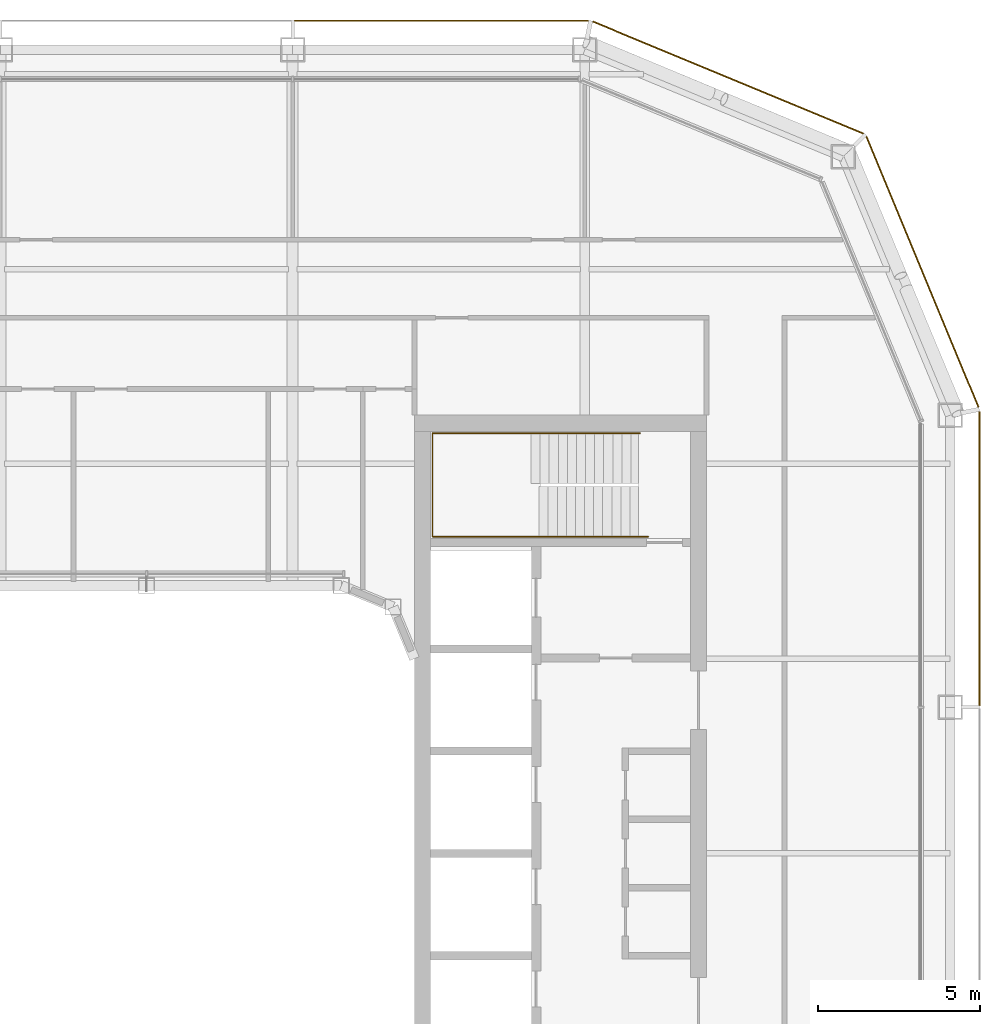
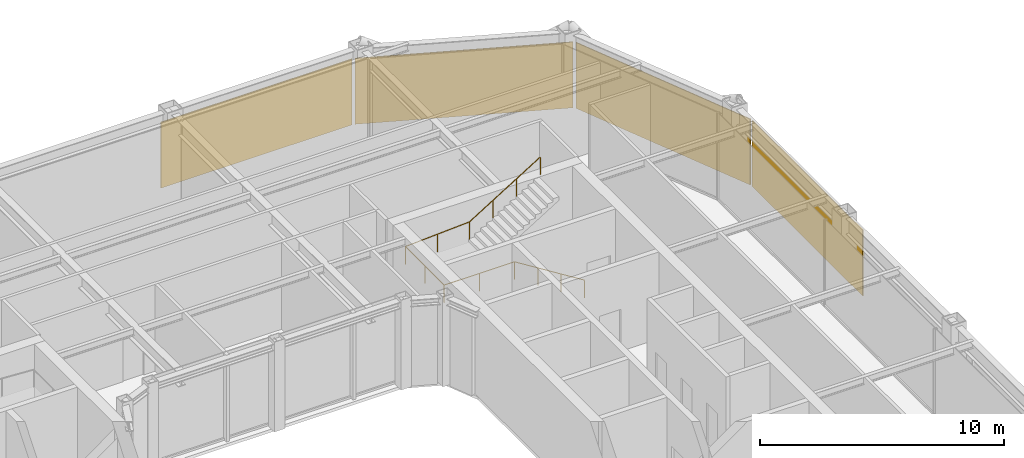
# One storey, part 19 of 20: 4 coverings, 1 railing.
"""IFC4 building model written with IfcOpenShell, lengths in metres."""

from ifc_helpers import new_model, si_unit, direction, frame, origin, origin_2d, place, context, subcontext, project, spatial, rectangle, circle, extrude, material, layer, layer_set, type_object, element, save


model = new_model("IFC4")

# Units and contexts
model_context = context("Model", 3, precision=1e-05, world=origin(), true_north=direction((0.0, 1.0)))
body_context = subcontext(model_context, "Body", "Model", "MODEL_VIEW")
ifc_project = project(units=[si_unit("LENGTHUNIT", "METRE"), si_unit("AREAUNIT", "SQUARE_METRE"), si_unit("VOLUMEUNIT", "CUBIC_METRE"), si_unit("PLANEANGLEUNIT", "RADIAN"), si_unit("MASSUNIT", "GRAM", prefix="KILO")], contexts=[model_context])

# Site, building, storey
site_placement = place(None, origin())
site = spatial("IfcSite", under=ifc_project, at=site_placement, CompositionType="ELEMENT")
building_placement = place(site_placement, origin())
building = spatial("IfcBuilding", under=site, at=building_placement, Name="Siwar Civic Tower", CompositionType="ELEMENT")
storey_placement = place(building_placement, frame((0.0, 0.0, 316.699951171875)))
storey = spatial("IfcBuildingStorey", under=building, at=storey_placement, Name="L68", CompositionType="ELEMENT", Elevation=316.699951171875)

# Railing
ifc_material_1 = material(Name="Stainless steel", Category="steel")
railing_type = type_object("IfcRailingType", Name="CORE-STAIR-HANDRAIL", PredefinedType="HANDRAIL", material=ifc_material_1)
railing_placement = place(storey_placement, frame((15.449951171875, 9.758056640625, 0.173095703125)))
element("IfcRailing", 1, at=railing_placement, inside=storey, type_object=railing_type, Name="Stair handrail ST3", PredefinedType="HANDRAIL", context=body_context, shape_type="SweptSolid", body=[
    extrude(circle(Radius=0.02001953125, at=origin_2d()), frame((0.0, 0.0, 0.8798828125), z_axis=(-0.847063342986, 0.0, 0.531491950051), x_axis=(0.0, -1.0, 0.0)), (0.0, 0.0, 1.0), 3.90771484375),
    extrude(circle(Radius=0.02001953125, at=origin_2d()), frame((-3.31005859375, 0.0, 2.956787109375), z_axis=(-1.0, 0.0, 0.0), x_axis=(0.0, -1.0, 0.0)), (0.0, 0.0, 1.0), 3.331787109375),
    extrude(circle(Radius=0.02001953125, at=origin_2d()), frame((-6.641845703125, 0.0, 2.956787109375), z_axis=(0.0, 1.0, 0.0), x_axis=(-1.0, 0.0, 0.0)), (0.0, 0.0, 1.0), 3.183837890625),
    extrude(circle(Radius=0.02001953125, at=origin_2d()), frame((-6.641845703125, 3.183837890625, 2.956787109375), z_axis=(0.99837434197, 0.0, 0.056997134106), x_axis=(0.0, 1.0, 0.0)), (0.0, 0.0, 1.0), 3.036865234375),
    extrude(circle(Radius=0.02001953125, at=origin_2d()), frame((-3.60986328125, 3.183837890625, 3.1298828125), z_axis=(0.850606129759, 0.0, 0.525803396734), x_axis=(0.0, 1.0, 0.0)), (0.0, 0.0, 1.0), 3.949951171875),
    extrude(circle(Radius=0.02001953125, at=origin_2d()), origin(), (0.0, 0.0, 1.0), 0.85986328125),
    extrude(circle(Radius=0.02001953125, at=origin_2d()), frame((-1.103271484375, 0.0, 0.6923828125)), (0.0, 0.0, 1.0), 0.85986328125),
    extrude(circle(Radius=0.02001953125, at=origin_2d()), frame((-2.206787109375, 0.0, 1.384521484375)), (0.0, 0.0, 1.0), 0.85986328125),
    extrude(circle(Radius=0.02001953125, at=origin_2d()), frame((-3.31005859375, 0.0, 2.076904296875)), (0.0, 0.0, 1.0), 0.85986328125),
    extrude(circle(Radius=0.02001953125, at=origin_2d()), frame((-4.97607421875, 0.0, 2.076904296875)), (0.0, 0.0, 1.0), 0.85986328125),
    extrude(circle(Radius=0.02001953125, at=origin_2d()), frame((-6.641845703125, 0.0, 2.076904296875)), (0.0, 0.0, 1.0), 0.85986328125),
    extrude(circle(Radius=0.02001953125, at=origin_2d()), frame((-6.641845703125, 1.591796875, 2.076904296875)), (0.0, 0.0, 1.0), 0.85986328125),
    extrude(circle(Radius=0.02001953125, at=origin_2d()), frame((-6.641845703125, 3.183837890625, 2.076904296875)), (0.0, 0.0, 1.0), 0.85986328125),
    extrude(circle(Radius=0.02001953125, at=origin_2d()), frame((-5.1259765625, 3.183837890625, 2.16357421875)), (0.0, 0.0, 1.0), 0.85986328125),
    extrude(circle(Radius=0.02001953125, at=origin_2d()), frame((-3.60986328125, 3.183837890625, 2.25)), (0.0, 0.0, 1.0), 0.85986328125),
    extrude(circle(Radius=0.02001953125, at=origin_2d()), frame((-2.489990234375, 3.183837890625, 2.9423828125)), (0.0, 0.0, 1.0), 0.85986328125),
    extrude(circle(Radius=0.02001953125, at=origin_2d()), frame((-1.369873046875, 3.183837890625, 3.634521484375)), (0.0, 0.0, 1.0), 0.85986328125),
    extrude(circle(Radius=0.02001953125, at=origin_2d()), frame((-0.25, 3.183837890625, 4.326904296875)), (0.0, 0.0, 1.0), 0.85986328125),
])

# Coverings
ifc_material_2 = material(Name="Perforated aluminium cassette, pale metal", Category="aluminium")
ifc_layer = layer(ifc_material_2, 0.0400390625)
ifc_layer_set = layer_set([ifc_layer], Name="Perforated aluminium cassette, pale metal")
covering_type = type_object("IfcCoveringType", Name="ENV-OUTER SKIN OS-1", PredefinedType="CLADDING", material=ifc_layer_set)
covering_1_placement = place(storey_placement, frame((25.64990234375, 9.07958984375, -0.14990234375), z_axis=(0.0, 0.0, 1.0), x_axis=(0.0, 1.0, 0.0)))
element("IfcCovering", 2, at=covering_1_placement, inside=storey, type_object=covering_type, Name="OUTER SKIN OS-1 E 3", PredefinedType="CLADDING", context=body_context, shape_type="SweptSolid", body=[
    extrude(rectangle(XDim=9.05908203125, YDim=0.0400390625, at=origin_2d()), origin(), (0.0, 0.0, 1.0), 3.300048828125),
])
for number, where, z_axis, x_axis, name in (
    (3, (23.89697265625, 17.911376953125, -0.14990234375), (0.0, 0.0, 1.0), (-0.382683432365, 0.923879532511, 0.0), "OUTER SKIN OS-1 NE1 1"),
    (4, (17.911376953125, 23.89697265625, -0.14990234375), (0.0, 0.0, 1.0), (-0.923879532511, 0.382683432365, 0.0), "OUTER SKIN OS-1 NE2 1"),
):
    element("IfcCovering", number, at=place(storey_placement, frame(where, z_axis=z_axis, x_axis=x_axis)), inside=storey, type_object=covering_type, Name=name, PredefinedType="CLADDING", context=body_context, shape_type="SweptSolid", body=[
        extrude(rectangle(XDim=9.022216796875, YDim=0.0400390625, at=origin_2d()), origin(), (0.0, 0.0, 1.0), 3.300048828125),
    ])
covering_2_placement = place(storey_placement, frame((9.07958984375, 25.64990234375, -0.14990234375), z_axis=(0.0, 0.0, 1.0), x_axis=(-1.0, 0.0, 0.0)))
element("IfcCovering", 5, at=covering_2_placement, inside=storey, type_object=covering_type, Name="OUTER SKIN OS-1 N 1", PredefinedType="CLADDING", context=body_context, shape_type="SweptSolid", body=[
    extrude(rectangle(XDim=9.05908203125, YDim=0.0400390625, at=origin_2d()), origin(), (0.0, 0.0, 1.0), 3.300048828125),
])

save(model, "model.ifc")
